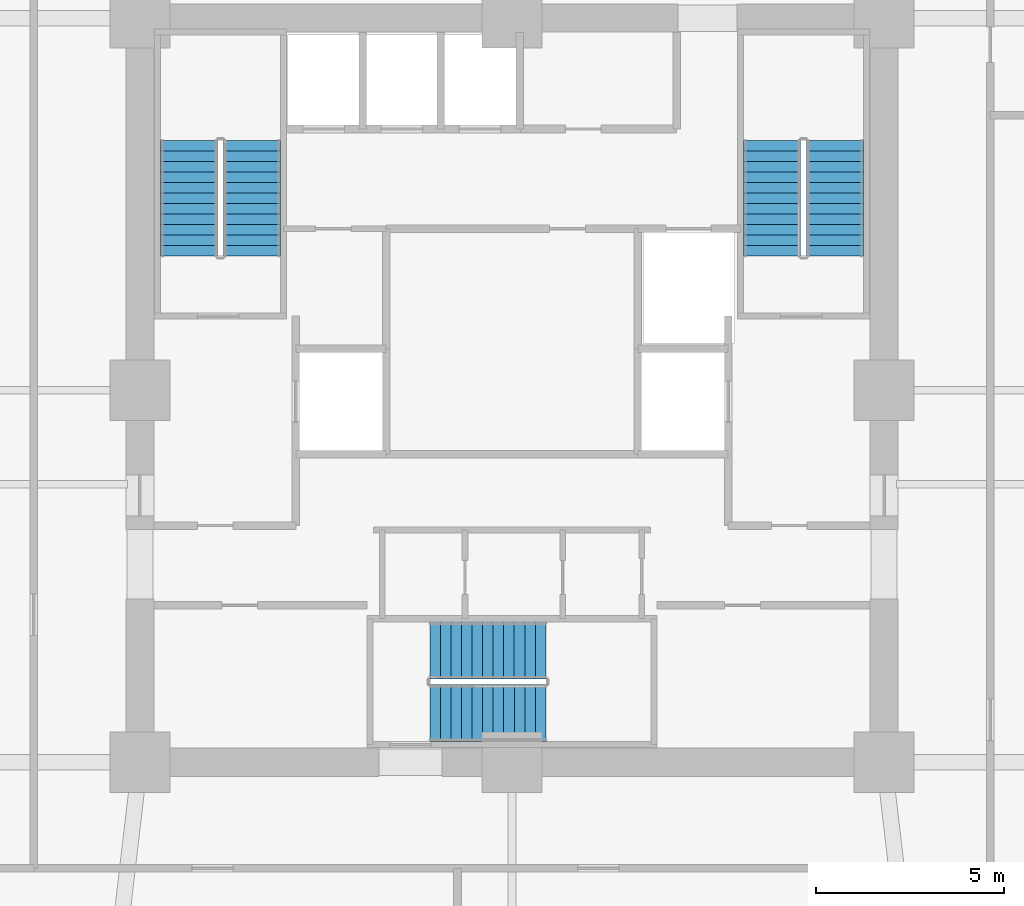
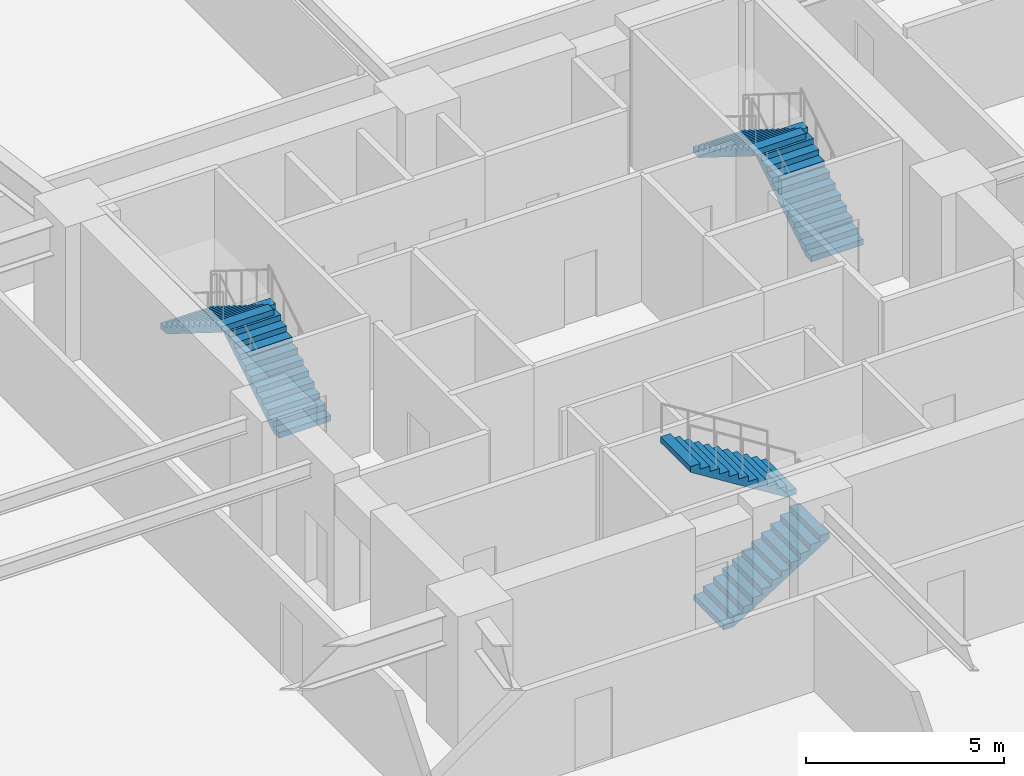
# One storey, part 4 of 5: 6 stair flights, 3 elements without a shape of their own.
"""IFC4 building model written with IfcOpenShell, lengths in metres."""

from ifc_helpers import new_model, si_unit, direction, frame, origin, place, context, subcontext, project, spatial, polyline, outline, extrude, material, type_object, element, aggregate, save


model = new_model("IFC4")

# Units and contexts
model_context = context("Model", 3, precision=1e-05, world=origin(), true_north=direction((0.0, 1.0)))
body_context = subcontext(model_context, "Body", "Model", "MODEL_VIEW")
ifc_project = project(units=[si_unit("LENGTHUNIT", "METRE"), si_unit("AREAUNIT", "SQUARE_METRE"), si_unit("VOLUMEUNIT", "CUBIC_METRE"), si_unit("PLANEANGLEUNIT", "RADIAN"), si_unit("MASSUNIT", "GRAM", prefix="KILO")], contexts=[model_context])

# Site, building, storey
site_placement = place(None, origin())
site = spatial("IfcSite", under=ifc_project, at=site_placement, CompositionType="ELEMENT")
building_placement = place(site_placement, origin())
building = spatial("IfcBuilding", under=site, at=building_placement, Name="Kolvaren Belvedere", CompositionType="ELEMENT")
storey_placement = place(building_placement, frame((0.0, 0.0, -8.39990234375)))
storey = spatial("IfcBuildingStorey", under=building, at=storey_placement, Name="B02", CompositionType="ELEMENT", Elevation=-8.39990234375)

# Stair, stair flights
ifc_material_1 = material(Name="Concrete C50/60", Category="concrete")
stair_type = type_object("IfcStairType", Name="ST-CORE-1520", PredefinedType="HALF_TURN_STAIR", material=ifc_material_1)
stair_1_placement = place(storey_placement, origin())
stair_1 = element("IfcStair", 1, at=stair_1_placement, inside=storey, type_object=stair_type, Name="B02 Protected Exit Stair ST-1", PredefinedType="HALF_TURN_STAIR")
ifc_material_2 = material(Name="Concrete C50/60", Category="concrete")
stair_flight_type = type_object("IfcStairFlightType", Name="SF-STR-1520", PredefinedType="STRAIGHT", material=ifc_material_2)
stair_flight_1_placement = place(storey_placement, frame((-6.919921875, 3.570068359375, 0.0), z_axis=(0.0, 0.0, 1.0), x_axis=(0.0, 1.0, 0.0)))
stair_flight_1 = element("IfcStairFlight", 2, at=stair_flight_1_placement, type_object=stair_flight_type, Name="ST-1 flight 1", NumberOfRisers=12, NumberOfTreads=11, PredefinedType="STRAIGHT", RiserHeight=0.175, TreadLength=0.28, context=body_context, shape_type="SweptSolid", body=[
    extrude(outline(polyline([(0.0, 0.0), (0.0, 0.175048828125), (0.280029296875, 0.175048828125), (0.280029296875, 0.35009765625), (0.56005859375, 0.35009765625), (0.56005859375, 0.52490234375), (0.840087890625, 0.52490234375), (0.840087890625, 0.699951171875), (1.1201171875, 0.699951171875), (1.1201171875, 0.875), (1.39990234375, 0.875), (1.39990234375, 1.050048828125), (1.679931640625, 1.050048828125), (1.679931640625, 1.22509765625), (1.9599609375, 1.22509765625), (1.9599609375, 1.39990234375), (2.239990234375, 1.39990234375), (2.239990234375, 1.574951171875), (2.52001953125, 1.574951171875), (2.52001953125, 1.75), (2.800048828125, 1.75), (2.800048828125, 1.925048828125), (3.080078125, 1.925048828125), (3.080078125, 2.10009765625), (3.080078125, 1.748291015625), (0.28271484375, 0.0), (0.0, 0.0)])), frame((0.0, 0.760009765625, 0.0), z_axis=(0.0, -1.0, 0.0), x_axis=(1.0, 0.0, 0.0)), (0.0, 0.0, 1.0), 1.52001953125),
])
stair_flight_2_placement = place(storey_placement, frame((-8.590087890625, 6.64990234375, 2.099853515625), z_axis=(0.0, 0.0, 1.0), x_axis=(0.0, -1.0, 0.0)))
stair_flight_2 = element("IfcStairFlight", 3, at=stair_flight_2_placement, type_object=stair_flight_type, Name="ST-1 flight 2", NumberOfRisers=12, NumberOfTreads=11, PredefinedType="STRAIGHT", RiserHeight=0.175, TreadLength=0.28, context=body_context, shape_type="SweptSolid", body=[
    extrude(outline(polyline([(0.0, 0.0), (0.0, 0.175048828125), (0.280029296875, 0.175048828125), (0.280029296875, 0.35009765625), (0.56005859375, 0.35009765625), (0.56005859375, 0.52490234375), (0.840087890625, 0.52490234375), (0.840087890625, 0.699951171875), (1.1201171875, 0.699951171875), (1.1201171875, 0.875), (1.39990234375, 0.875), (1.39990234375, 1.050048828125), (1.679931640625, 1.050048828125), (1.679931640625, 1.22509765625), (1.9599609375, 1.22509765625), (1.9599609375, 1.39990234375), (2.239990234375, 1.39990234375), (2.239990234375, 1.574951171875), (2.52001953125, 1.574951171875), (2.52001953125, 1.75), (2.800048828125, 1.75), (2.800048828125, 1.925048828125), (3.080078125, 1.925048828125), (3.080078125, 2.10009765625), (3.080078125, 1.748291015625), (0.28271484375, 0.0), (0.0, 0.0)])), frame((0.0, 0.760009765625, 0.0), z_axis=(0.0, -1.0, 0.0), x_axis=(1.0, 0.0, 0.0)), (0.0, 0.0, 1.0), 1.52001953125),
])
aggregate(stair_1, [stair_flight_1, stair_flight_2])

stair_2_placement = place(storey_placement, origin())
stair_2 = element("IfcStair", 4, at=stair_2_placement, inside=storey, type_object=stair_type, Name="B02 Protected Exit Stair ST-2", PredefinedType="HALF_TURN_STAIR")
stair_flight_3_placement = place(storey_placement, frame((8.590087890625, 3.570068359375, 0.0), z_axis=(0.0, 0.0, 1.0), x_axis=(0.0, 1.0, 0.0)))
stair_flight_3 = element("IfcStairFlight", 5, at=stair_flight_3_placement, type_object=stair_flight_type, Name="ST-2 flight 1", NumberOfRisers=12, NumberOfTreads=11, PredefinedType="STRAIGHT", RiserHeight=0.175, TreadLength=0.28, context=body_context, shape_type="SweptSolid", body=[
    extrude(outline(polyline([(0.0, 0.0), (0.0, 0.175048828125), (0.280029296875, 0.175048828125), (0.280029296875, 0.35009765625), (0.56005859375, 0.35009765625), (0.56005859375, 0.52490234375), (0.840087890625, 0.52490234375), (0.840087890625, 0.699951171875), (1.1201171875, 0.699951171875), (1.1201171875, 0.875), (1.39990234375, 0.875), (1.39990234375, 1.050048828125), (1.679931640625, 1.050048828125), (1.679931640625, 1.22509765625), (1.9599609375, 1.22509765625), (1.9599609375, 1.39990234375), (2.239990234375, 1.39990234375), (2.239990234375, 1.574951171875), (2.52001953125, 1.574951171875), (2.52001953125, 1.75), (2.800048828125, 1.75), (2.800048828125, 1.925048828125), (3.080078125, 1.925048828125), (3.080078125, 2.10009765625), (3.080078125, 1.748291015625), (0.28271484375, 0.0), (0.0, 0.0)])), frame((0.0, 0.760009765625, 0.0), z_axis=(0.0, -1.0, 0.0), x_axis=(1.0, 0.0, 0.0)), (0.0, 0.0, 1.0), 1.52001953125),
])
stair_flight_4_placement = place(storey_placement, frame((6.919921875, 6.64990234375, 2.099853515625), z_axis=(0.0, 0.0, 1.0), x_axis=(0.0, -1.0, 0.0)))
stair_flight_4 = element("IfcStairFlight", 6, at=stair_flight_4_placement, type_object=stair_flight_type, Name="ST-2 flight 2", NumberOfRisers=12, NumberOfTreads=11, PredefinedType="STRAIGHT", RiserHeight=0.175, TreadLength=0.28, context=body_context, shape_type="SweptSolid", body=[
    extrude(outline(polyline([(0.0, 0.0), (0.0, 0.175048828125), (0.280029296875, 0.175048828125), (0.280029296875, 0.35009765625), (0.56005859375, 0.35009765625), (0.56005859375, 0.52490234375), (0.840087890625, 0.52490234375), (0.840087890625, 0.699951171875), (1.1201171875, 0.699951171875), (1.1201171875, 0.875), (1.39990234375, 0.875), (1.39990234375, 1.050048828125), (1.679931640625, 1.050048828125), (1.679931640625, 1.22509765625), (1.9599609375, 1.22509765625), (1.9599609375, 1.39990234375), (2.239990234375, 1.39990234375), (2.239990234375, 1.574951171875), (2.52001953125, 1.574951171875), (2.52001953125, 1.75), (2.800048828125, 1.75), (2.800048828125, 1.925048828125), (3.080078125, 1.925048828125), (3.080078125, 2.10009765625), (3.080078125, 1.748291015625), (0.28271484375, 0.0), (0.0, 0.0)])), frame((0.0, 0.760009765625, 0.0), z_axis=(0.0, -1.0, 0.0), x_axis=(1.0, 0.0, 0.0)), (0.0, 0.0, 1.0), 1.52001953125),
])
aggregate(stair_2, [stair_flight_3, stair_flight_4])

stair_3_placement = place(storey_placement, origin())
stair_3 = element("IfcStair", 7, at=stair_3_placement, inside=storey, type_object=stair_type, Name="B02 Protected Exit Stair ST-3", PredefinedType="HALF_TURN_STAIR")
stair_flight_5_placement = place(storey_placement, frame((-2.179931640625, -8.590087890625, 0.0), z_axis=(0.0, 0.0, 1.0), x_axis=(1.0, 0.0, 0.0)))
stair_flight_5 = element("IfcStairFlight", 8, at=stair_flight_5_placement, type_object=stair_flight_type, Name="ST-3 flight 1", NumberOfRisers=12, NumberOfTreads=11, PredefinedType="STRAIGHT", RiserHeight=0.175, TreadLength=0.28, context=body_context, shape_type="SweptSolid", body=[
    extrude(outline(polyline([(0.0, 0.0), (0.0, 0.175048828125), (0.280029296875, 0.175048828125), (0.280029296875, 0.35009765625), (0.56005859375, 0.35009765625), (0.56005859375, 0.52490234375), (0.840087890625, 0.52490234375), (0.840087890625, 0.699951171875), (1.1201171875, 0.699951171875), (1.1201171875, 0.875), (1.39990234375, 0.875), (1.39990234375, 1.050048828125), (1.679931640625, 1.050048828125), (1.679931640625, 1.22509765625), (1.9599609375, 1.22509765625), (1.9599609375, 1.39990234375), (2.239990234375, 1.39990234375), (2.239990234375, 1.574951171875), (2.52001953125, 1.574951171875), (2.52001953125, 1.75), (2.800048828125, 1.75), (2.800048828125, 1.925048828125), (3.080078125, 1.925048828125), (3.080078125, 2.10009765625), (3.080078125, 1.748291015625), (0.28271484375, 0.0), (0.0, 0.0)])), frame((0.0, 0.760009765625, 0.0), z_axis=(0.0, -1.0, 0.0), x_axis=(1.0, 0.0, 0.0)), (0.0, 0.0, 1.0), 1.52001953125),
])
stair_flight_6_placement = place(storey_placement, frame((0.89990234375, -6.919921875, 2.099853515625), z_axis=(0.0, 0.0, 1.0), x_axis=(-1.0, 0.0, 0.0)))
stair_flight_6 = element("IfcStairFlight", 9, at=stair_flight_6_placement, type_object=stair_flight_type, Name="ST-3 flight 2", NumberOfRisers=12, NumberOfTreads=11, PredefinedType="STRAIGHT", RiserHeight=0.175, TreadLength=0.28, context=body_context, shape_type="SweptSolid", body=[
    extrude(outline(polyline([(0.0, 0.0), (0.0, 0.175048828125), (0.280029296875, 0.175048828125), (0.280029296875, 0.35009765625), (0.56005859375, 0.35009765625), (0.56005859375, 0.52490234375), (0.840087890625, 0.52490234375), (0.840087890625, 0.699951171875), (1.1201171875, 0.699951171875), (1.1201171875, 0.875), (1.39990234375, 0.875), (1.39990234375, 1.050048828125), (1.679931640625, 1.050048828125), (1.679931640625, 1.22509765625), (1.9599609375, 1.22509765625), (1.9599609375, 1.39990234375), (2.239990234375, 1.39990234375), (2.239990234375, 1.574951171875), (2.52001953125, 1.574951171875), (2.52001953125, 1.75), (2.800048828125, 1.75), (2.800048828125, 1.925048828125), (3.080078125, 1.925048828125), (3.080078125, 2.10009765625), (3.080078125, 1.748291015625), (0.28271484375, 0.0), (0.0, 0.0)])), frame((0.0, 0.760009765625, 0.0), z_axis=(0.0, -1.0, 0.0), x_axis=(1.0, 0.0, 0.0)), (0.0, 0.0, 1.0), 1.52001953125),
])
aggregate(stair_3, [stair_flight_5, stair_flight_6])

save(model, "model.ifc")
